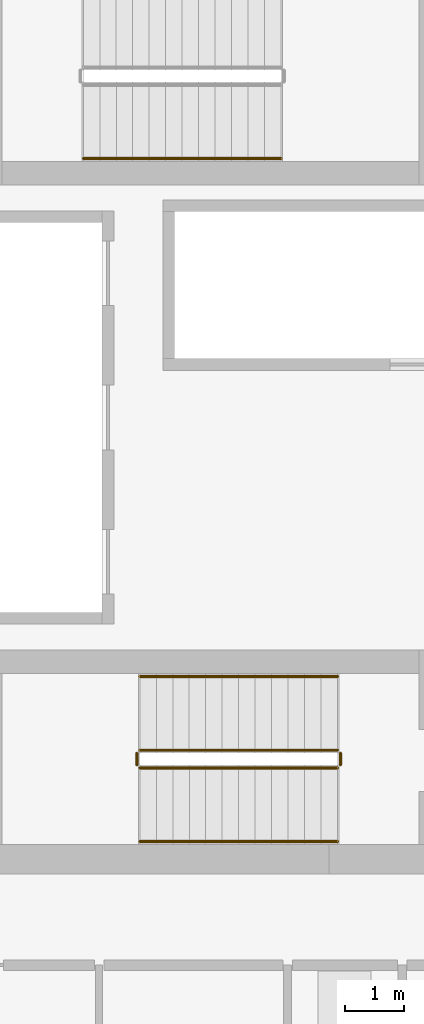
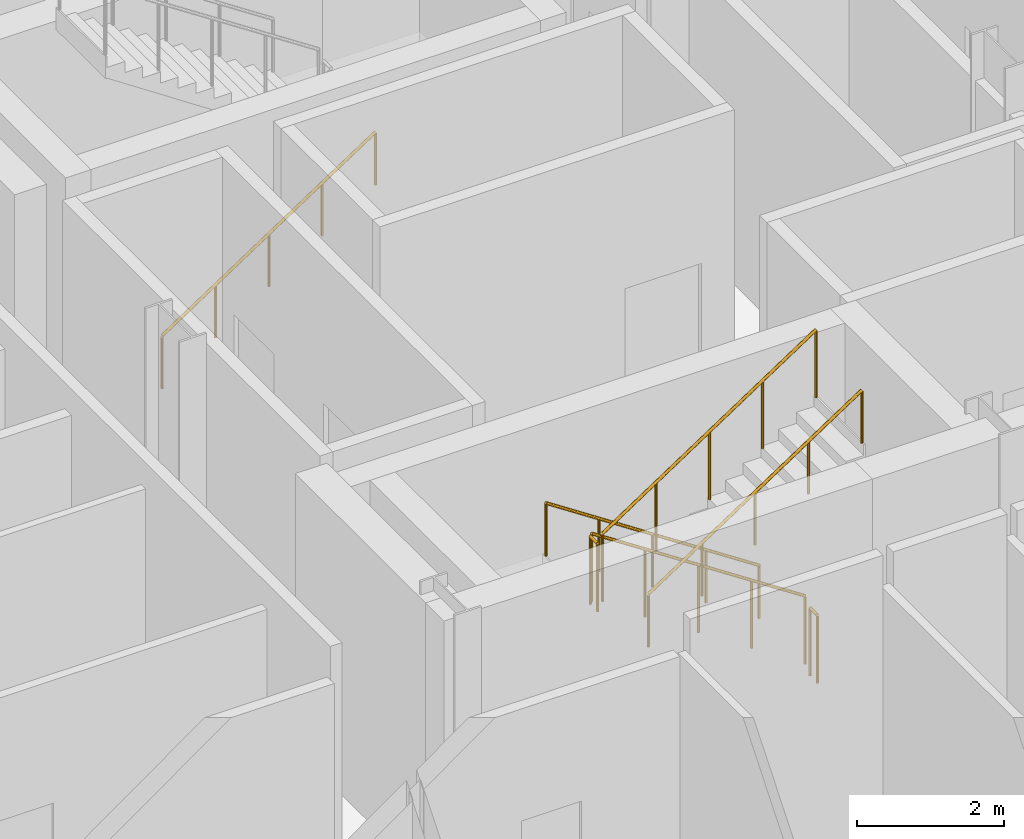
# One storey, part 29 of 33: 7 railings.
"""IFC4 building model written with IfcOpenShell, lengths in metres."""

from ifc_helpers import new_model, si_unit, direction, frame, origin, origin_2d, place, context, subcontext, project, spatial, circle, extrude, material, type_object, element, save


model = new_model("IFC4")

# Units and contexts
model_context = context("Model", 3, precision=1e-05, world=origin(), true_north=direction((0.0, 1.0)))
body_context = subcontext(model_context, "Body", "Model", "MODEL_VIEW")
ifc_project = project(units=[si_unit("LENGTHUNIT", "METRE"), si_unit("AREAUNIT", "SQUARE_METRE"), si_unit("VOLUMEUNIT", "CUBIC_METRE"), si_unit("PLANEANGLEUNIT", "RADIAN"), si_unit("MASSUNIT", "GRAM", prefix="KILO")], contexts=[model_context])

# Site, building, storey
site_placement = place(None, origin())
site = spatial("IfcSite", under=ifc_project, at=site_placement, CompositionType="ELEMENT")
building_placement = place(site_placement, origin())
building = spatial("IfcBuilding", under=site, at=building_placement, Name="Barlavira Tower and Art Museum", CompositionType="ELEMENT")
storey_placement = place(building_placement, frame((0.0, 0.0, 27.60009765625)))
storey = spatial("IfcBuildingStorey", under=building, at=storey_placement, Name="L05", CompositionType="ELEMENT", Elevation=27.60009765625)

# Railings
ifc_material = material(Name="Brushed stainless steel", Category="steel")
railing_type_1 = type_object("IfcRailingType", Name="Interior Void and Landing Guard Railing 1150", PredefinedType="GUARDRAIL", material=ifc_material)
railing_1_placement = place(storey_placement, frame((0.14990234375, -5.64990234375, 0.1845703125)))
element("IfcRailing", 1, at=railing_1_placement, inside=storey, type_object=railing_type_1, Name="L05 ST-T1 stair guard 1", PredefinedType="GUARDRAIL", context=body_context, shape_type="SweptSolid", body=[
    extrude(circle(Radius=0.02392578125, at=origin_2d()), frame((0.0, 0.0, 1.1259765625), z_axis=(-0.834858096282, 0.0, 0.550465220583), x_axis=(0.0, -1.0, 0.0)), (0.0, 0.0, 1.0), 4.0244140625),
    extrude(circle(Radius=0.02099609375, at=origin_2d()), origin(), (0.0, 0.0, 1.0), 1.101806640625),
    extrude(circle(Radius=0.02099609375, at=origin_2d()), frame((-0.83984375, 0.0, 0.5537109375)), (0.0, 0.0, 1.0), 1.101806640625),
    extrude(circle(Radius=0.02099609375, at=origin_2d()), frame((-1.679931640625, 0.0, 1.107666015625)), (0.0, 0.0, 1.0), 1.101806640625),
    extrude(circle(Radius=0.02099609375, at=origin_2d()), frame((-2.52001953125, 0.0, 1.66162109375)), (0.0, 0.0, 1.0), 1.101806640625),
    extrude(circle(Radius=0.02099609375, at=origin_2d()), frame((-3.35986328125, 0.0, 2.21533203125)), (0.0, 0.0, 1.0), 1.101806640625),
])
railing_2_placement = place(storey_placement, frame((-3.260009765625, -5.699951171875, 2.39990234375)))
element("IfcRailing", 2, at=railing_2_placement, inside=storey, type_object=railing_type_1, Name="L05 ST-T1 stair guard 2", PredefinedType="GUARDRAIL", context=body_context, shape_type="SweptSolid", body=[
    extrude(circle(Radius=0.02392578125, at=origin_2d()), frame((0.0, 0.0, 1.1259765625), z_axis=(0.0, -1.0, 0.0), x_axis=(1.0, 0.0, 0.0)), (0.0, 0.0, 1.0), 0.199951171875),
    extrude(circle(Radius=0.02099609375, at=origin_2d()), origin(), (0.0, 0.0, 1.0), 1.101806640625),
    extrude(circle(Radius=0.02099609375, at=origin_2d()), frame((0.0, -0.199951171875, 0.0)), (0.0, 0.0, 1.0), 1.101806640625),
])
railing_3_placement = place(storey_placement, frame((-3.2099609375, -5.949951171875, 2.58447265625)))
element("IfcRailing", 3, at=railing_3_placement, inside=storey, type_object=railing_type_1, Name="L05 ST-T1 stair guard 3", PredefinedType="GUARDRAIL", context=body_context, shape_type="SweptSolid", body=[
    extrude(circle(Radius=0.02392578125, at=origin_2d()), frame((0.0, 0.0, 1.1259765625), z_axis=(0.834858096282, 0.0, 0.550465220583), x_axis=(0.0, 1.0, 0.0)), (0.0, 0.0, 1.0), 4.0244140625),
    extrude(circle(Radius=0.02099609375, at=origin_2d()), origin(), (0.0, 0.0, 1.0), 1.101806640625),
    extrude(circle(Radius=0.02099609375, at=origin_2d()), frame((0.83984375, 0.0, 0.5537109375)), (0.0, 0.0, 1.0), 1.101806640625),
    extrude(circle(Radius=0.02099609375, at=origin_2d()), frame((1.679931640625, 0.0, 1.107666015625)), (0.0, 0.0, 1.0), 1.101806640625),
    extrude(circle(Radius=0.02099609375, at=origin_2d()), frame((2.52001953125, 0.0, 1.66162109375)), (0.0, 0.0, 1.0), 1.101806640625),
    extrude(circle(Radius=0.02099609375, at=origin_2d()), frame((3.35986328125, 0.0, 2.21533203125)), (0.0, 0.0, 1.0), 1.101806640625),
])
railing_4_placement = place(storey_placement, frame((0.199951171875, -5.699951171875, 0.0)))
element("IfcRailing", 4, at=railing_4_placement, inside=storey, type_object=railing_type_1, Name="L05 ST-T1 stair guard 4", PredefinedType="GUARDRAIL", context=body_context, shape_type="SweptSolid", body=[
    extrude(circle(Radius=0.02392578125, at=origin_2d()), frame((0.0, 0.0, 1.1259765625), z_axis=(0.0, -1.0, 0.0), x_axis=(1.0, 0.0, 0.0)), (0.0, 0.0, 1.0), 0.199951171875),
    extrude(circle(Radius=0.02099609375, at=origin_2d()), origin(), (0.0, 0.0, 1.0), 1.101806640625),
    extrude(circle(Radius=0.02099609375, at=origin_2d()), frame((0.0, -0.199951171875, 0.0)), (0.0, 0.0, 1.0), 1.101806640625),
])
railing_type_2 = type_object("IfcRailingType", Name="Stair Pitch Tubular Steel Handrail 920", PredefinedType="HANDRAIL", material=ifc_material)
railing_5_placement = place(storey_placement, frame((0.14990234375, -4.39990234375, 0.1845703125)))
element("IfcRailing", 5, at=railing_5_placement, inside=storey, type_object=railing_type_2, Name="L05 ST-T1 stair handrail 1", PredefinedType="HANDRAIL", context=body_context, shape_type="SweptSolid", body=[
    extrude(circle(Radius=0.02392578125, at=origin_2d()), frame((0.0, 0.0, 0.8759765625), z_axis=(-0.834858096282, 0.0, 0.550465220583), x_axis=(0.0, -1.0, 0.0)), (0.0, 0.0, 1.0), 4.0244140625),
    extrude(circle(Radius=0.02099609375, at=origin_2d()), origin(), (0.0, 0.0, 1.0), 0.851806640625),
    extrude(circle(Radius=0.02099609375, at=origin_2d()), frame((-0.83984375, 0.0, 0.5537109375)), (0.0, 0.0, 1.0), 0.851806640625),
    extrude(circle(Radius=0.02099609375, at=origin_2d()), frame((-1.679931640625, 0.0, 1.107666015625)), (0.0, 0.0, 1.0), 0.851806640625),
    extrude(circle(Radius=0.02099609375, at=origin_2d()), frame((-2.52001953125, 0.0, 1.66162109375)), (0.0, 0.0, 1.0), 0.851806640625),
    extrude(circle(Radius=0.02099609375, at=origin_2d()), frame((-3.35986328125, 0.0, 2.21533203125)), (0.0, 0.0, 1.0), 0.851806640625),
])
for number, where, name in (
    (6, (-3.2099609375, -7.199951171875, 2.58447265625), "L05 ST-T1 stair handrail 2"),
    (7, (-4.169921875, 4.39990234375, 0.1845703125), "L05 ST-T2 stair handrail 1"),
):
    element("IfcRailing", number, at=place(storey_placement, frame(where)), inside=storey, type_object=railing_type_2, Name=name, PredefinedType="HANDRAIL", context=body_context, shape_type="SweptSolid", body=[
        extrude(circle(Radius=0.02392578125, at=origin_2d()), frame((0.0, 0.0, 0.8759765625), z_axis=(0.834858096282, 0.0, 0.550465220583), x_axis=(0.0, 1.0, 0.0)), (0.0, 0.0, 1.0), 4.0244140625),
        extrude(circle(Radius=0.02099609375, at=origin_2d()), origin(), (0.0, 0.0, 1.0), 0.851806640625),
        extrude(circle(Radius=0.02099609375, at=origin_2d()), frame((0.83984375, 0.0, 0.5537109375)), (0.0, 0.0, 1.0), 0.851806640625),
        extrude(circle(Radius=0.02099609375, at=origin_2d()), frame((1.679931640625, 0.0, 1.107666015625)), (0.0, 0.0, 1.0), 0.851806640625),
        extrude(circle(Radius=0.02099609375, at=origin_2d()), frame((2.52001953125, 0.0, 1.66162109375)), (0.0, 0.0, 1.0), 0.851806640625),
        extrude(circle(Radius=0.02099609375, at=origin_2d()), frame((3.35986328125, 0.0, 2.21533203125)), (0.0, 0.0, 1.0), 0.851806640625),
    ])

save(model, "model.ifc")
